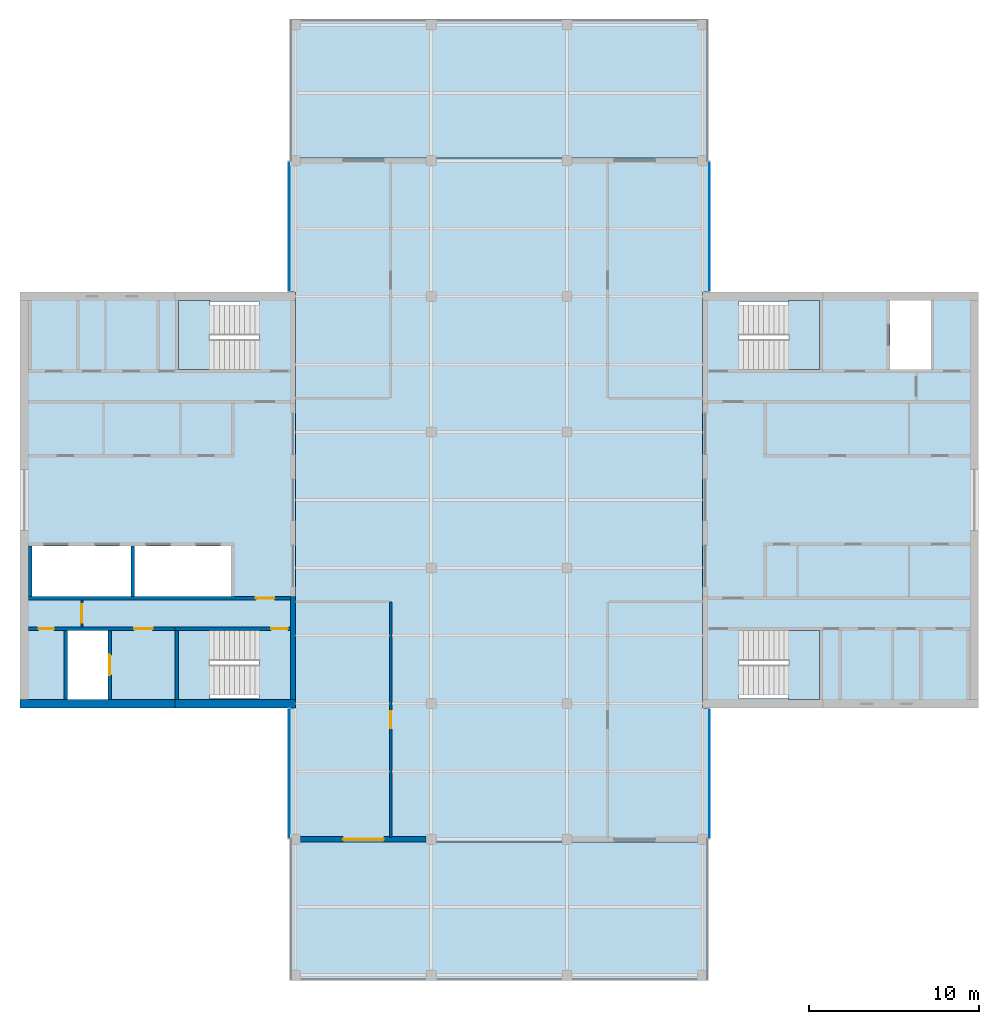
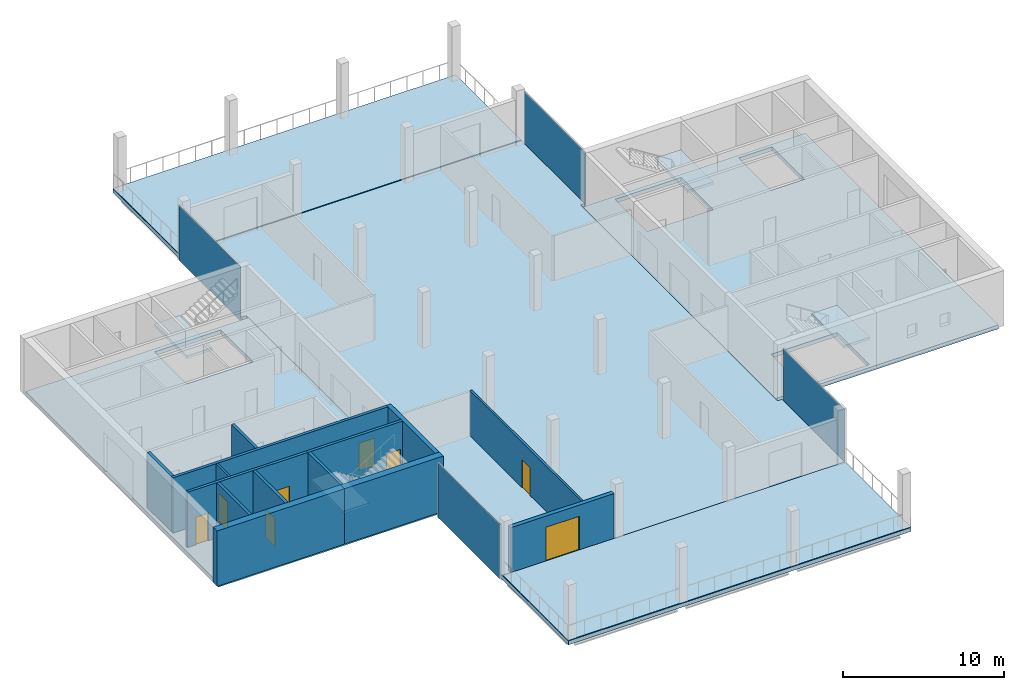
# One storey, part 7 of 12: 14 walls, 9 slabs, 8 doors, 4 plates, 8 openings, 8 elements without a shape of their own.
"""IFC4 building model written with IfcOpenShell, lengths in metres."""

from ifc_helpers import new_model, si_unit, direction, frame, frame_2d, origin, place, context, subcontext, project, spatial, polyline, rectangle, outline, extrude, material, layer, layer_set, constituent, constituent_set, type_object, element, fill, aggregate, save


model = new_model("IFC4")

# Units and contexts
model_context = context("Model", 3, precision=1e-05, world=origin(), true_north=direction((0.0, 1.0)))
body_context = subcontext(model_context, "Body", "Model", "MODEL_VIEW")
ifc_project = project(units=[si_unit("LENGTHUNIT", "METRE"), si_unit("AREAUNIT", "SQUARE_METRE"), si_unit("VOLUMEUNIT", "CUBIC_METRE"), si_unit("PLANEANGLEUNIT", "RADIAN"), si_unit("MASSUNIT", "GRAM", prefix="KILO")], contexts=[model_context])

# Site, building, storey
site_placement = place(None, origin())
site = spatial("IfcSite", under=ifc_project, at=site_placement, CompositionType="ELEMENT")
building_placement = place(site_placement, origin())
building = spatial("IfcBuilding", under=site, at=building_placement, Name="Crosswind Convention Tower", CompositionType="ELEMENT")
storey_placement = place(building_placement, frame((0.0, 0.0, 323.89990234375)))
storey = spatial("IfcBuildingStorey", under=building, at=storey_placement, Name="L70", CompositionType="ELEMENT", Elevation=323.89990234375)

# Slabs
ifc_material_1 = material(Name="Concrete C40/50", Category="concrete")
ifc_layer_1 = layer(ifc_material_1, 0.300048828125)
ifc_layer_set_1 = layer_set([ifc_layer_1], Name="Concrete C40/50")
slab_type_1 = type_object("IfcSlabType", Name="Composite floor slab 300", PredefinedType="FLOOR", material=ifc_layer_set_1)
slab_1_placement = place(storey_placement, frame((0.0, 0.0, -0.2998046875)))
element("IfcSlab", 1, at=slab_1_placement, inside=storey, type_object=slab_type_1, Name="Floor slab L70", PredefinedType="FLOOR", context=body_context, shape_type="SweptSolid", body=[
    extrude(outline(polyline([(137.300048828125, 71.699951171875), (137.0, 71.699951171875), (113.0, 71.699951171875), (112.699951171875, 71.699951171875), (112.699951171875, 72.0), (112.699951171875, 87.75), (113.0, 87.75), (113.0, 112.25), (112.699951171875, 112.25), (112.699951171875, 128.0), (112.699951171875, 128.300048828125), (113.0, 128.300048828125), (137.0, 128.300048828125), (137.300048828125, 128.300048828125), (137.300048828125, 128.0), (137.300048828125, 112.25), (137.0, 112.25), (137.0, 87.75), (137.300048828125, 87.75), (137.300048828125, 72.0), (137.300048828125, 71.699951171875)])), origin(), (0.0, 0.0, 1.0), 0.2998046875),
])
ifc_layer_2 = layer(ifc_material_1, 0.300048828125)
ifc_layer_set_2 = layer_set([ifc_layer_2], Name="Concrete C40/50")
slab_type_2 = type_object("IfcSlabType", Name="Concrete core floor slab 300", PredefinedType="FLOOR", material=ifc_layer_set_2)
slab_2_placement = place(storey_placement, frame((0.0, 0.0, -0.2998046875)))
element("IfcSlab", 2, at=slab_2_placement, inside=storey, type_object=slab_type_2, Name="Core floor slab E L70", PredefinedType="FLOOR", context=body_context, shape_type="SweptSolid", body=[
    extrude(outline(polyline([(137.0, 88.0), (153.0, 88.0), (153.0, 112.0), (137.0, 112.0), (137.0, 88.0)]), holes=[polyline([(150.449951171875, 107.699951171875), (150.449951171875, 111.75), (148.050048828125, 111.75), (148.050048828125, 107.699951171875), (150.449951171875, 107.699951171875)]), polyline([(143.89990234375, 107.699951171875), (143.89990234375, 111.699951171875), (139.14990234375, 111.699951171875), (139.14990234375, 107.699951171875), (143.89990234375, 107.699951171875)]), polyline([(143.89990234375, 88.300048828125), (143.89990234375, 92.300048828125), (139.14990234375, 92.300048828125), (139.14990234375, 88.300048828125), (143.89990234375, 88.300048828125)])]), origin(), (0.0, 0.0, 1.0), 0.2998046875),
])
slab_3_placement = place(storey_placement, frame((0.0, 0.0, -0.2998046875)))
element("IfcSlab", 3, at=slab_3_placement, inside=storey, type_object=slab_type_2, Name="Core floor slab W L70", PredefinedType="FLOOR", context=body_context, shape_type="SweptSolid", body=[
    extrude(outline(polyline([(97.0, 88.0), (113.0, 88.0), (113.0, 112.0), (97.0, 112.0), (97.0, 88.0)]), holes=[polyline([(109.199951171875, 94.300048828125), (109.199951171875, 97.300048828125), (103.5, 97.300048828125), (103.5, 94.300048828125), (109.199951171875, 94.300048828125)]), polyline([(103.300048828125, 94.300048828125), (103.300048828125, 97.300048828125), (97.449951171875, 97.300048828125), (97.449951171875, 94.300048828125), (103.300048828125, 94.300048828125)]), polyline([(101.949951171875, 88.25), (101.949951171875, 92.300048828125), (99.550048828125, 92.300048828125), (99.550048828125, 88.25), (101.949951171875, 88.25)]), polyline([(110.85009765625, 88.300048828125), (110.85009765625, 92.300048828125), (106.10009765625, 92.300048828125), (106.10009765625, 88.300048828125), (110.85009765625, 88.300048828125)]), polyline([(110.85009765625, 107.699951171875), (110.85009765625, 111.699951171875), (106.10009765625, 111.699951171875), (106.10009765625, 107.699951171875), (110.85009765625, 107.699951171875)])]), origin(), (0.0, 0.0, 1.0), 0.2998046875),
])
ifc_material_2 = material(Name="Porcelain paving on pedestals", Category="ceramic")
ifc_layer_3 = layer(ifc_material_2, 0.050048828125)
ifc_layer_set_3 = layer_set([ifc_layer_3], Name="SKY DECK PAVING 50")
slab_type_3 = type_object("IfcSlabType", Name="SKY DECK PAVING 50", PredefinedType="USERDEFINED", material=ifc_layer_set_3)
slab_4_placement = place(storey_placement, origin())
element("IfcSlab", 4, at=slab_4_placement, inside=storey, type_object=slab_type_3, Name="Sky deck L70 N", ObjectType="PAVING", PredefinedType="USERDEFINED", context=body_context, shape_type="SweptSolid", body=[
    extrude(outline(polyline([(112.699951171875, 128.0), (112.699951171875, 128.300048828125), (113.0, 128.300048828125), (137.0, 128.300048828125), (137.300048828125, 128.300048828125), (137.300048828125, 128.0), (137.300048828125, 120.14990234375), (112.699951171875, 120.14990234375), (112.699951171875, 128.0)])), origin(), (0.0, 0.0, 1.0), 0.050048828125),
])
slab_5_placement = place(storey_placement, origin())
element("IfcSlab", 5, at=slab_5_placement, inside=storey, type_object=slab_type_3, Name="Sky deck L70 S", ObjectType="PAVING", PredefinedType="USERDEFINED", context=body_context, shape_type="SweptSolid", body=[
    extrude(outline(polyline([(137.300048828125, 71.699951171875), (137.0, 71.699951171875), (113.0, 71.699951171875), (112.699951171875, 71.699951171875), (112.699951171875, 72.0), (112.699951171875, 79.85009765625), (137.300048828125, 79.85009765625), (137.300048828125, 72.0), (137.300048828125, 71.699951171875)])), origin(), (0.0, 0.0, 1.0), 0.050048828125),
])

# Stair, slab
stair_type = type_object("IfcStairType", Name="Exit stair 1800 wide, 2 flights of 11 risers", PredefinedType="HALF_TURN_STAIR", material=ifc_material_1)
stair_1_placement = place(storey_placement, origin())
stair_1 = element("IfcStair", 6, at=stair_1_placement, inside=storey, type_object=stair_type, Name="Exit stair ST1 L70", ObjectType="ST5", PredefinedType="HALF_TURN_STAIR")
ifc_layer_4 = layer(ifc_material_1, 0.199951171875)
ifc_layer_set_4 = layer_set([ifc_layer_4], Name="Concrete C40/50")
slab_type_4 = type_object("IfcSlabType", Name="Stair landing 200", PredefinedType="LANDING", material=ifc_layer_set_4)
slab_6_placement = place(storey_placement, frame((0.0, 0.0, 1.900146484375)))
slab_6 = element("IfcSlab", 7, at=slab_6_placement, type_object=slab_type_4, Name="ST1 landing 1", PredefinedType="LANDING", context=body_context, shape_type="SweptSolid", body=[
    extrude(outline(polyline([(143.89990234375, 107.699951171875), (143.89990234375, 111.75), (142.050048828125, 111.75), (142.050048828125, 107.699951171875), (143.89990234375, 107.699951171875)])), origin(), (0.0, 0.0, 1.0), 0.199951171875),
])
aggregate(stair_1, [slab_6])

stair_2_placement = place(storey_placement, origin())
stair_2 = element("IfcStair", 8, at=stair_2_placement, inside=storey, type_object=stair_type, Name="Exit stair ST2 L70", ObjectType="ST5", PredefinedType="HALF_TURN_STAIR")
slab_7_placement = place(storey_placement, frame((0.0, 0.0, 1.900146484375)))
slab_7 = element("IfcSlab", 9, at=slab_7_placement, type_object=slab_type_4, Name="ST2 landing 1", PredefinedType="LANDING", context=body_context, shape_type="SweptSolid", body=[
    extrude(outline(polyline([(143.89990234375, 88.25), (143.89990234375, 92.300048828125), (142.050048828125, 92.300048828125), (142.050048828125, 88.25), (143.89990234375, 88.25)])), origin(), (0.0, 0.0, 1.0), 0.199951171875),
])
aggregate(stair_2, [slab_7])

stair_3_placement = place(storey_placement, origin())
stair_3 = element("IfcStair", 10, at=stair_3_placement, inside=storey, type_object=stair_type, Name="Exit stair ST3 L70", ObjectType="ST5", PredefinedType="HALF_TURN_STAIR")
slab_8_placement = place(storey_placement, frame((0.0, 0.0, 1.900146484375)))
slab_8 = element("IfcSlab", 11, at=slab_8_placement, type_object=slab_type_4, Name="ST3 landing 1", PredefinedType="LANDING", context=body_context, shape_type="SweptSolid", body=[
    extrude(outline(polyline([(107.949951171875, 88.25), (107.949951171875, 92.300048828125), (106.10009765625, 92.300048828125), (106.10009765625, 88.25), (107.949951171875, 88.25)])), origin(), (0.0, 0.0, 1.0), 0.199951171875),
])
aggregate(stair_3, [slab_8])

stair_4_placement = place(storey_placement, origin())
stair_4 = element("IfcStair", 12, at=stair_4_placement, inside=storey, type_object=stair_type, Name="Exit stair ST4 L70", ObjectType="ST5", PredefinedType="HALF_TURN_STAIR")
slab_9_placement = place(storey_placement, frame((0.0, 0.0, 1.900146484375)))
slab_9 = element("IfcSlab", 13, at=slab_9_placement, type_object=slab_type_4, Name="ST4 landing 1", PredefinedType="LANDING", context=body_context, shape_type="SweptSolid", body=[
    extrude(outline(polyline([(107.949951171875, 107.699951171875), (107.949951171875, 111.75), (106.10009765625, 111.75), (106.10009765625, 107.699951171875), (107.949951171875, 107.699951171875)])), origin(), (0.0, 0.0, 1.0), 0.199951171875),
])
aggregate(stair_4, [slab_9])

# Curtain wall, plate
ifc_material_3 = material(Name="Aluminium unitised curtain wall", Category="aluminium")
curtain_wall_type = type_object("IfcCurtainWallType", Name="CORE END SLOT WALL 160", PredefinedType="USERDEFINED", material=ifc_material_3)
curtain_wall_1_placement = place(storey_placement, origin())
curtain_wall_1 = element("IfcCurtainWall", 14, at=curtain_wall_1_placement, inside=storey, type_object=curtain_wall_type, Name="CW6 L70 N-E.1-1 slot", ObjectType="UNITISED", PredefinedType="USERDEFINED")
ifc_material_4 = material(Name="Laminated insulating glass unit", Category="glass")
ifc_layer_5 = layer(ifc_material_4, 0.02587890625)
ifc_layer_set_5 = layer_set([ifc_layer_5], Name="TRIANGULAR GLASS PANEL 26")
plate_type = type_object("IfcPlateType", Name="TRIANGULAR GLASS PANEL 26", PredefinedType="CURTAIN_PANEL", material=ifc_layer_set_5)
plate_1_placement = place(storey_placement, frame((137.40673828125, 112.300048828125, -0.2998046875), z_axis=(0.999999937702, 0.0, 0.000352982682), x_axis=(0.0, 1.0, 0.0)))
plate_1 = element("IfcPlate", 15, at=plate_1_placement, type_object=plate_type, Name="CW6 panel 1.1", PredefinedType="CURTAIN_PANEL", context=body_context, shape_type="SweptSolid", body=[
    extrude(outline(polyline([(0.0, 0.0), (7.64990234375, 0.0), (7.64990234375, 4.149902602282246), (0.0, 4.149902602282246), (0.0, 0.0)])), origin(), (0.0, 0.0, -1.0), 0.02587890625),
])
aggregate(curtain_wall_1, [plate_1])

curtain_wall_2_placement = place(storey_placement, origin())
curtain_wall_2 = element("IfcCurtainWall", 16, at=curtain_wall_2_placement, inside=storey, type_object=curtain_wall_type, Name="CW6 L70 N-W.1-2 slot", ObjectType="UNITISED", PredefinedType="USERDEFINED")
plate_2_placement = place(storey_placement, frame((112.59326171875, 119.949951171875, -0.2998046875), z_axis=(-0.999999937702, 0.0, 0.000352982682), x_axis=(0.0, -1.0, 0.0)))
plate_2 = element("IfcPlate", 17, at=plate_2_placement, type_object=plate_type, Name="CW6 panel 1.1", PredefinedType="CURTAIN_PANEL", context=body_context, shape_type="SweptSolid", body=[
    extrude(outline(polyline([(0.0, 0.0), (7.64990234375, 0.0), (7.64990234375, 4.149902602282246), (0.0, 4.149902602282246), (0.0, 0.0)])), origin(), (0.0, 0.0, -1.0), 0.02587890625),
])
aggregate(curtain_wall_2, [plate_2])

curtain_wall_3_placement = place(storey_placement, origin())
curtain_wall_3 = element("IfcCurtainWall", 18, at=curtain_wall_3_placement, inside=storey, type_object=curtain_wall_type, Name="CW6 L70 S-W.1-1 slot", ObjectType="UNITISED", PredefinedType="USERDEFINED")
plate_3_placement = place(storey_placement, frame((112.59326171875, 87.699951171875, -0.2998046875), z_axis=(-0.999999937702, 0.0, 0.000352982682), x_axis=(0.0, -1.0, 0.0)))
plate_3 = element("IfcPlate", 19, at=plate_3_placement, type_object=plate_type, Name="CW6 panel 1.1", PredefinedType="CURTAIN_PANEL", context=body_context, shape_type="SweptSolid", body=[
    extrude(outline(polyline([(0.0, 0.0), (7.64990234375, 0.0), (7.64990234375, 4.149902602282246), (0.0, 4.149902602282246), (0.0, 0.0)])), origin(), (0.0, 0.0, -1.0), 0.02587890625),
])
aggregate(curtain_wall_3, [plate_3])

curtain_wall_4_placement = place(storey_placement, origin())
curtain_wall_4 = element("IfcCurtainWall", 20, at=curtain_wall_4_placement, inside=storey, type_object=curtain_wall_type, Name="CW6 L70 S-E.1-2 slot", ObjectType="UNITISED", PredefinedType="USERDEFINED")
plate_4_placement = place(storey_placement, frame((137.40673828125, 80.050048828125, -0.2998046875), z_axis=(0.999999937702, 0.0, 0.000352982682), x_axis=(0.0, 1.0, 0.0)))
plate_4 = element("IfcPlate", 21, at=plate_4_placement, type_object=plate_type, Name="CW6 panel 1.1", PredefinedType="CURTAIN_PANEL", context=body_context, shape_type="SweptSolid", body=[
    extrude(outline(polyline([(0.0, 0.0), (7.64990234375, 0.0), (7.64990234375, 4.149902602282246), (0.0, 4.149902602282246), (0.0, 0.0)])), origin(), (0.0, 0.0, -1.0), 0.02587890625),
])
aggregate(curtain_wall_4, [plate_4])

# Walls
ifc_material_5 = material(Name="Concrete C50/60", Category="concrete")
ifc_layer_6 = layer(ifc_material_5, 0.300048828125)
ifc_layer_set_6 = layer_set([ifc_layer_6], Name="Concrete C50/60")
wall_type_1 = type_object("IfcWallType", Name="Concrete inner core wall 300", PredefinedType="SHEAR", material=ifc_layer_set_6)
wall_1_placement = place(storey_placement, frame((112.85009765625, 94.300048828125, 0.0), z_axis=(0.0, 0.0, 1.0), x_axis=(0.0, -1.0, 0.0)))
element("IfcWall", 22, at=wall_1_placement, inside=storey, type_object=wall_type_1, Name="Wall EP W L70", PredefinedType="SHEAR", context=body_context, shape_type="SweptSolid", body=[
    extrude(rectangle(XDim=6.050048828125, YDim=0.300048828125, at=frame_2d((3.02490234375, 0.0))), origin(), (0.0, 0.0, 1.0), 4.2001953125),
])
ifc_layer_7 = layer(ifc_material_5, 0.199951171875)
ifc_layer_set_7 = layer_set([ifc_layer_7], Name="Concrete C50/60")
wall_type_2 = type_object("IfcWallType", Name="Concrete shaft and stair wall 200", PredefinedType="SHEAR", material=ifc_layer_set_7)
for number, where, z_axis, x_axis, name in (
    (23, (103.39990234375, 97.300048828125, 0.0), (0.0, 0.0, 1.0), (0.0, -1.0, 0.0), "Wall RPSEP W L70"),
    (24, (97.35009765625, 97.300048828125, 0.0), (0.0, 0.0, 1.0), (0.0, -1.0, 0.0), "Wall RPEAST W L70"),
):
    element("IfcWall", number, at=place(storey_placement, frame(where, z_axis=z_axis, x_axis=x_axis)), inside=storey, type_object=wall_type_2, Name=name, PredefinedType="SHEAR", context=body_context, shape_type="SweptSolid", body=[
        extrude(rectangle(XDim=3.0, YDim=0.199951171875, at=frame_2d((1.5, 0.0))), origin(), (0.0, 0.0, 1.0), 4.2001953125),
    ])

# Wall, opening, door
wall_2_placement = place(storey_placement, frame((112.699951171875, 94.199951171875, 0.0), z_axis=(0.0, 0.0, 1.0), x_axis=(-1.0, 0.0, 0.0)))
wall_2 = element("IfcWall", 25, at=wall_2_placement, inside=storey, type_object=wall_type_2, Name="Wall HP W L70", PredefinedType="SHEAR", context=body_context, shape_type="SweptSolid", body=[
    extrude(rectangle(XDim=15.449951171875, YDim=0.199951171875, at=frame_2d((7.72509765625, 0.0))), origin(), (0.0, 0.0, 1.0), 4.2001953125),
])
opening_1_placement = place(wall_2_placement, frame((0.949951171875, 0.0, 0.0)))
opening_1 = element("IfcOpeningElement", 26, at=opening_1_placement, cuts=wall_2, Name="Opening D104", PredefinedType="OPENING", context=body_context, shape_type="SweptSolid", body=[
    extrude(rectangle(XDim=1.10009765625, YDim=2.10009765625, at=frame_2d((0.550048828125, 1.050048828125))), frame((0.0, 0.10986328125, 0.0), z_axis=(0.0, -1.0, 0.0), x_axis=(1.0, 0.0, 0.0)), (0.0, 0.0, 1.0), 0.219970703125),
])
ifc_material_6 = material(Name="Steel fire door", Category="steel")
door_type_1 = type_object("IfcDoorType", Name="Fire-rated single door 1100x2100", OperationType="NOTDEFINED", PredefinedType="DOOR", material=ifc_material_6)
door_1_placement = place(opening_1_placement, origin())
door_1 = element("IfcDoor", 27, at=door_1_placement, inside=storey, type_object=door_type_1, Name="Corridor door L70", ObjectType="D104", OperationType="SINGLE_SWING_LEFT", OverallHeight=2.10009765625, OverallWidth=1.10009765625, PredefinedType="DOOR", context=body_context, shape_type="SweptSolid", body=[
    extrude(rectangle(XDim=1.10009765625, YDim=2.10009765625, at=frame_2d((0.550048828125, 1.050048828125))), frame((0.0, 0.02490234375, 0.0), z_axis=(0.0, -1.0, 0.0), x_axis=(1.0, 0.0, 0.0)), (0.0, 0.0, 1.0), 0.050048828125),
])
fill(opening_1, door_1)

# Wall
wall_3_placement = place(storey_placement, frame((106.0, 92.300048828125, 0.0), z_axis=(0.0, 0.0, 1.0), x_axis=(0.0, -1.0, 0.0)))
element("IfcWall", 28, at=wall_3_placement, inside=storey, type_object=wall_type_2, Name="Wall PSE W L70", PredefinedType="SHEAR", context=body_context, shape_type="SweptSolid", body=[
    extrude(rectangle(XDim=4.050048828125, YDim=0.199951171875, at=frame_2d((2.02490234375, 0.0))), origin(), (0.0, 0.0, 1.0), 4.2001953125),
])

# Wall, opening, door
wall_4_placement = place(storey_placement, frame((102.050048828125, 92.300048828125, 0.0), z_axis=(0.0, 0.0, 1.0), x_axis=(0.0, -1.0, 0.0)))
wall_4 = element("IfcWall", 29, at=wall_4_placement, inside=storey, type_object=wall_type_2, Name="Wall PFLW W L70", PredefinedType="SHEAR", context=body_context, shape_type="SweptSolid", body=[
    extrude(rectangle(XDim=4.050048828125, YDim=0.199951171875, at=frame_2d((2.02490234375, 0.0))), origin(), (0.0, 0.0, 1.0), 4.2001953125),
])
opening_2_placement = place(wall_4_placement, frame((1.425048828125, 0.0, 0.0)))
opening_2 = element("IfcOpeningElement", 30, at=opening_2_placement, cuts=wall_4, Name="Opening LD1", PredefinedType="OPENING", context=body_context, shape_type="SweptSolid", body=[
    extrude(rectangle(XDim=1.199951171875, YDim=2.10009765625, at=frame_2d((0.60009765625, 1.050048828125))), frame((0.0, 0.10986328125, 0.0), z_axis=(0.0, -1.0, 0.0), x_axis=(1.0, 0.0, 0.0)), (0.0, 0.0, 1.0), 0.219970703125),
])
ifc_material_7 = material(Name="Stainless steel", Category="steel")
door_type_2 = type_object("IfcDoorType", Name="Lift landing door 1200x2100", OperationType="DOUBLE_DOOR_SLIDING", PredefinedType="DOOR", material=ifc_material_7)
door_2_placement = place(opening_2_placement, origin())
door_2 = element("IfcDoor", 31, at=door_2_placement, inside=storey, type_object=door_type_2, Name="Landing door FF2 L70", ObjectType="LD1", OperationType="DOUBLE_DOOR_SLIDING", OverallHeight=2.10009765625, OverallWidth=1.199951171875, PredefinedType="DOOR", context=body_context, shape_type="SweptSolid", body=[
    extrude(rectangle(XDim=1.199951171875, YDim=2.10009765625, at=frame_2d((0.60009765625, 1.050048828125))), frame((0.0, 0.02490234375, 0.0), z_axis=(0.0, -1.0, 0.0), x_axis=(1.0, 0.0, 0.0)), (0.0, 0.0, 1.0), 0.050048828125),
])
fill(opening_2, door_2)

# Wall
wall_5_placement = place(storey_placement, frame((99.449951171875, 92.300048828125, 0.0), z_axis=(0.0, 0.0, 1.0), x_axis=(0.0, -1.0, 0.0)))
element("IfcWall", 32, at=wall_5_placement, inside=storey, type_object=wall_type_2, Name="Wall PFSE W L70", PredefinedType="SHEAR", context=body_context, shape_type="SweptSolid", body=[
    extrude(rectangle(XDim=4.050048828125, YDim=0.199951171875, at=frame_2d((2.02490234375, 0.0))), origin(), (0.0, 0.0, 1.0), 4.2001953125),
])

# Wall, opening, door
wall_6_placement = place(storey_placement, frame((112.699951171875, 92.39990234375, 0.0), z_axis=(0.0, 0.0, 1.0), x_axis=(-1.0, 0.0, 0.0)))
wall_6 = element("IfcWall", 33, at=wall_6_placement, inside=storey, type_object=wall_type_2, Name="Wall PCW W L70", PredefinedType="SHEAR", context=body_context, shape_type="SweptSolid", body=[
    extrude(rectangle(XDim=6.800048828125, YDim=0.199951171875, at=frame_2d((3.39990234375, 0.0))), origin(), (0.0, 0.0, 1.0), 4.2001953125),
])
opening_3_placement = place(wall_6_placement, frame((0.14990234375, 0.0, 0.0)))
opening_3 = element("IfcOpeningElement", 34, at=opening_3_placement, cuts=wall_6, Name="Opening D103", PredefinedType="OPENING", context=body_context, shape_type="SweptSolid", body=[
    extrude(rectangle(XDim=1.0, YDim=2.10009765625, at=frame_2d((0.5, 1.050048828125))), frame((0.0, 0.10986328125, 0.0), z_axis=(0.0, -1.0, 0.0), x_axis=(1.0, 0.0, 0.0)), (0.0, 0.0, 1.0), 0.219970703125),
])
door_type_3 = type_object("IfcDoorType", Name="Fire-rated single door 1000x2100", OperationType="NOTDEFINED", PredefinedType="DOOR", material=ifc_material_6)
door_3_placement = place(opening_3_placement, origin())
door_3 = element("IfcDoor", 35, at=door_3_placement, inside=storey, type_object=door_type_3, Name="Stair ST3 door L70", ObjectType="D103", OperationType="SINGLE_SWING_LEFT", OverallHeight=2.10009765625, OverallWidth=1.0, PredefinedType="DOOR", context=body_context, shape_type="SweptSolid", body=[
    extrude(rectangle(XDim=1.0, YDim=2.10009765625, at=frame_2d((0.5, 1.050048828125))), frame((0.0, 0.02490234375, 0.0), z_axis=(0.0, -1.0, 0.0), x_axis=(1.0, 0.0, 0.0)), (0.0, 0.0, 1.0), 0.050048828125),
])
fill(opening_3, door_3)

# Wall, openings, doors
wall_7_placement = place(storey_placement, frame((105.89990234375, 92.39990234375, 0.0), z_axis=(0.0, 0.0, 1.0), x_axis=(-1.0, 0.0, 0.0)))
wall_7 = element("IfcWall", 36, at=wall_7_placement, inside=storey, type_object=wall_type_2, Name="Wall PCX W L70", PredefinedType="SHEAR", context=body_context, shape_type="SweptSolid", body=[
    extrude(rectangle(XDim=8.64990234375, YDim=0.199951171875, at=frame_2d((4.324951171875, 0.0))), origin(), (0.0, 0.0, 1.0), 4.2001953125),
])
opening_4_placement = place(wall_7_placement, frame((1.324951171875, 0.0, 0.0)))
opening_4 = element("IfcOpeningElement", 37, at=opening_4_placement, cuts=wall_7, Name="Opening D104", PredefinedType="OPENING", context=body_context, shape_type="SweptSolid", body=[
    extrude(rectangle(XDim=1.10009765625, YDim=2.10009765625, at=frame_2d((0.550048828125, 1.050048828125))), frame((0.0, 0.10986328125, 0.0), z_axis=(0.0, -1.0, 0.0), x_axis=(1.0, 0.0, 0.0)), (0.0, 0.0, 1.0), 0.219970703125),
])
opening_5_placement = place(wall_7_placement, frame((7.14990234375, 0.0, 0.0)))
opening_5 = element("IfcOpeningElement", 38, at=opening_5_placement, cuts=wall_7, Name="Opening D106", PredefinedType="OPENING", context=body_context, shape_type="SweptSolid", body=[
    extrude(rectangle(XDim=0.89990234375, YDim=2.10009765625, at=frame_2d((0.449951171875, 1.050048828125))), frame((0.0, 0.10986328125, 0.0), z_axis=(0.0, -1.0, 0.0), x_axis=(1.0, 0.0, 0.0)), (0.0, 0.0, 1.0), 0.219970703125),
])
door_4_placement = place(opening_4_placement, origin())
door_4 = element("IfcDoor", 39, at=door_4_placement, inside=storey, type_object=door_type_1, Name="Fire-fighting lobby FF2 door L70", ObjectType="D104", OperationType="SINGLE_SWING_RIGHT", OverallHeight=2.10009765625, OverallWidth=1.10009765625, PredefinedType="DOOR", context=body_context, shape_type="SweptSolid", body=[
    extrude(rectangle(XDim=1.10009765625, YDim=2.10009765625, at=frame_2d((0.550048828125, 1.050048828125))), frame((0.0, 0.02490234375, 0.0), z_axis=(0.0, -1.0, 0.0), x_axis=(1.0, 0.0, 0.0)), (0.0, 0.0, 1.0), 0.050048828125),
])
fill(opening_4, door_4)
ifc_material_8 = material(Name="Timber door", Category="wood")
door_type_4 = type_object("IfcDoorType", Name="Single leaf door 900x2100", OperationType="NOTDEFINED", PredefinedType="DOOR", material=ifc_material_8)
door_5_placement = place(opening_5_placement, origin())
door_5 = element("IfcDoor", 40, at=door_5_placement, inside=storey, type_object=door_type_4, Name="Door to telecoms room L70", ObjectType="D106", OperationType="SINGLE_SWING_RIGHT", OverallHeight=2.10009765625, OverallWidth=0.89990234375, PredefinedType="DOOR", context=body_context, shape_type="SweptSolid", body=[
    extrude(rectangle(XDim=0.89990234375, YDim=2.10009765625, at=frame_2d((0.449951171875, 1.050048828125))), frame((0.0, 0.02490234375, 0.0), z_axis=(0.0, -1.0, 0.0), x_axis=(1.0, 0.0, 0.0)), (0.0, 0.0, 1.0), 0.050048828125),
])
fill(opening_5, door_5)

# Wall, opening, door
ifc_material_9 = material(Name="Gypsum plasterboard partition", Category="gypsum")
ifc_layer_8 = layer(ifc_material_9, 0.125)
ifc_layer_set_8 = layer_set([ifc_layer_8], Name="Drywall partition wall 125")
wall_type_3 = type_object("IfcWallType", Name="Drywall partition wall 125", PredefinedType="PARTITIONING", material=ifc_layer_set_8)
wall_8_placement = place(storey_placement, frame((100.39990234375, 94.10009765625, 0.0), z_axis=(0.0, 0.0, 1.0), x_axis=(0.0, -1.0, 0.0)))
wall_8 = element("IfcWall", 41, at=wall_8_placement, inside=storey, type_object=wall_type_3, Name="Wall PXC1 W L70", PredefinedType="PARTITIONING", context=body_context, shape_type="SweptSolid", body=[
    extrude(rectangle(XDim=1.60009765625, YDim=0.125, at=frame_2d((0.800048828125, 0.0))), origin(), (0.0, 0.0, 1.0), 4.2001953125),
])
opening_6_placement = place(wall_8_placement, frame((0.25, 0.0, 0.0)))
opening_6 = element("IfcOpeningElement", 42, at=opening_6_placement, cuts=wall_8, Name="Opening D104", PredefinedType="OPENING", context=body_context, shape_type="SweptSolid", body=[
    extrude(rectangle(XDim=1.10009765625, YDim=2.10009765625, at=frame_2d((0.550048828125, 1.050048828125))), frame((0.0, 0.072509765625, 0.0), z_axis=(0.0, -1.0, 0.0), x_axis=(1.0, 0.0, 0.0)), (0.0, 0.0, 1.0), 0.14501953125),
])
door_6_placement = place(opening_6_placement, origin())
door_6 = element("IfcDoor", 43, at=door_6_placement, inside=storey, type_object=door_type_1, Name="Corridor smoke door L70", ObjectType="D104", OperationType="SINGLE_SWING_RIGHT", OverallHeight=2.10009765625, OverallWidth=1.10009765625, PredefinedType="DOOR", context=body_context, shape_type="SweptSolid", body=[
    extrude(rectangle(XDim=1.10009765625, YDim=2.10009765625, at=frame_2d((0.550048828125, 1.050048828125))), frame((0.0, 0.02490234375, 0.0), z_axis=(0.0, -1.0, 0.0), x_axis=(1.0, 0.0, 0.0)), (0.0, 0.0, 1.0), 0.050048828125),
])
fill(opening_6, door_6)

ifc_material_10 = material(Name="Fire-board partition with mineral wool", Category="gypsum")
ifc_layer_9 = layer(ifc_material_10, 0.14990234375)
ifc_layer_set_9 = layer_set([ifc_layer_9], Name="TENANCY WALL 150 TWO-HOUR BOARD")
wall_type_4 = type_object("IfcWallType", Name="TENANCY WALL 150 TWO-HOUR BOARD", PredefinedType="PARTITIONING", material=ifc_layer_set_9)
wall_9_placement = place(storey_placement, frame((118.60009765625, 80.10009765625, 0.0), z_axis=(0.0, 0.0, 1.0), x_axis=(0.0, 1.0, 0.0)))
wall_9 = element("IfcWall", 44, at=wall_9_placement, inside=storey, type_object=wall_type_4, Name="Tenancy wall WT41", PredefinedType="PARTITIONING", context=body_context, shape_type="SweptSolid", body=[
    extrude(rectangle(XDim=13.89990234375, YDim=0.14990234375, at=frame_2d((6.949951171875, 0.0))), origin(), (0.0, 0.0, 1.0), 3.44287109375),
])
opening_7_placement = place(wall_9_placement, frame((6.449951171875, 0.0, 0.0)))
opening_7 = element("IfcOpeningElement", 45, at=opening_7_placement, cuts=wall_9, Name="Opening L70-53", PredefinedType="OPENING", context=body_context, shape_type="SweptSolid", body=[
    extrude(rectangle(XDim=1.0, YDim=2.10009765625, at=frame_2d((0.5, 1.050048828125))), frame((0.0, 0.0849609375, 0.0), z_axis=(0.0, -1.0, 0.0), x_axis=(1.0, 0.0, 0.0)), (0.0, 0.0, 1.0), 0.169921875),
])
ifc_material_11 = material(Name="Timber fire door", Category="wood")
door_type_5 = type_object("IfcDoorType", Name="TENANCY ENTRANCE DOOR 1000X2100 FD30S", OperationType="NOTDEFINED", PredefinedType="DOOR", material=ifc_material_11)
door_7_placement = place(opening_7_placement, origin())
door_7 = element("IfcDoor", 46, at=door_7_placement, inside=storey, type_object=door_type_5, Name="Door L70-53", ObjectType="D41", OperationType="SINGLE_SWING_RIGHT", OverallHeight=2.10009765625, OverallWidth=1.0, PredefinedType="DOOR", context=body_context, shape_type="SweptSolid", body=[
    extrude(rectangle(XDim=1.0, YDim=2.10009765625, at=frame_2d((0.5, 1.050048828125))), frame((0.0, 0.02490234375, 0.0), z_axis=(0.0, -1.0, 0.0), x_axis=(1.0, 0.0, 0.0)), (0.0, 0.0, 1.0), 0.050048828125),
])
fill(opening_7, door_7)

ifc_material_12 = material(Name="Terracotta rainscreen", Category="ceramic")
ifc_layer_10 = layer(ifc_material_12, 0.02001953125)
ifc_material_13 = material(Name="Mineral wool insulation", Category="insulation")
ifc_layer_11 = layer(ifc_material_13, 0.10009765625)
ifc_material_14 = material(Name="Concrete blockwork", Category="masonry")
ifc_layer_12 = layer(ifc_material_14, 0.179931640625)
ifc_layer_set_10 = layer_set([ifc_layer_10, ifc_layer_11, ifc_layer_12], Name="TERRACOTTA INFILL WALL 300")
wall_type_5 = type_object("IfcWallType", Name="TERRACOTTA INFILL WALL 300", PredefinedType="SOLIDWALL", material=ifc_layer_set_10)
wall_10_placement = place(storey_placement, frame((113.300048828125, 80.0, 0.0), z_axis=(0.0, 0.0, 1.0), x_axis=(1.0, 0.0, 0.0)))
wall_10 = element("IfcWall", 47, at=wall_10_placement, inside=storey, type_object=wall_type_5, Name="Portal front wall L70 S 1", PredefinedType="SOLIDWALL", context=body_context, shape_type="SweptSolid", body=[
    extrude(rectangle(XDim=7.39990234375, YDim=0.300048828125, at=frame_2d((3.699951171875, 0.0))), origin(), (0.0, 0.0, 1.0), 3.446533203125),
])
opening_8_placement = place(wall_10_placement, frame((2.5, 0.0, 0.0)))
opening_8 = element("IfcOpeningElement", 48, at=opening_8_placement, cuts=wall_10, Name="Opening D142", PredefinedType="OPENING", context=body_context, shape_type="SweptSolid", body=[
    extrude(rectangle(XDim=2.39990234375, YDim=2.60009765625, at=frame_2d((1.199951171875, 1.300048828125))), frame((0.0, 0.159912109375, 0.0), z_axis=(0.0, -1.0, 0.0), x_axis=(1.0, 0.0, 0.0)), (0.0, 0.0, 1.0), 0.320068359375),
])
ifc_material_15 = material(Name="Aluminium glazed door", Category="aluminium")
door_type_6 = type_object("IfcDoorType", Name="SKY DECK DOUBLE DOOR 2400X2600", OperationType="DOUBLE_DOOR_SINGLE_SWING", PredefinedType="DOOR", material=ifc_material_15)
door_8_placement = place(opening_8_placement, frame((2.39990234375, 0.0, 0.0), z_axis=(0.0, 0.0, 1.0), x_axis=(-1.0, 0.0, 0.0)))
door_8 = element("IfcDoor", 49, at=door_8_placement, inside=storey, type_object=door_type_6, Name="D142 sky deck door L70 S 1", ObjectType="D142", OperationType="DOUBLE_DOOR_SINGLE_SWING", OverallHeight=2.60009765625, OverallWidth=2.39990234375, PredefinedType="DOOR", context=body_context, shape_type="SweptSolid", body=[
    extrude(rectangle(XDim=2.39990234375, YDim=2.60009765625, at=frame_2d((1.199951171875, 1.300048828125))), frame((0.0, 0.02490234375, 0.0), z_axis=(0.0, -1.0, 0.0), x_axis=(1.0, 0.0, 0.0)), (0.0, 0.0, 1.0), 0.050048828125),
])
fill(opening_8, door_8)

# Walls
ifc_material_16 = material(Name="Concrete C60/75", Category="concrete")
ifc_constituent_1 = constituent(ifc_material_16, Name="Structure")
ifc_constituent_2 = constituent(ifc_material_12, Name="Facing")
ifc_constituent_set = constituent_set(constituents=[ifc_constituent_1, ifc_constituent_2], Name="Concrete C60/75, Terracotta rainscreen")
wall_type_6 = type_object("IfcWallType", Name="Terracotta rainscreen on concrete core wall 500", PredefinedType="SHEAR", material=ifc_constituent_set)
wall_11_placement = place(storey_placement, frame((113.0, 88.0, 0.0), z_axis=(0.0, 0.0, 1.0), x_axis=(-1.0, 0.0, 0.0)))
element("IfcWall", 50, at=wall_11_placement, inside=storey, type_object=wall_type_6, Name="Wall N1 W L70", PredefinedType="SHEAR", context=body_context, shape_type="SweptSolid", body=[
    extrude(rectangle(XDim=7.10009765625, YDim=0.5, at=frame_2d((3.550048828125, 0.0))), origin(), (0.0, 0.0, 1.0), 4.2001953125),
])
wall_12_placement = place(storey_placement, frame((105.89990234375, 88.0, 0.0), z_axis=(0.0, 0.0, 1.0), x_axis=(-1.0, 0.0, 0.0)))
element("IfcWall", 51, at=wall_12_placement, inside=storey, type_object=wall_type_6, Name="Wall N2 W L70", PredefinedType="SHEAR", context=body_context, shape_type="SweptSolid", body=[
    extrude(rectangle(XDim=9.14990234375, YDim=0.5, at=frame_2d((4.574951171875, 0.0))), origin(), (0.0, 0.0, 1.0), 4.2001953125),
])

save(model, "model.ifc")
